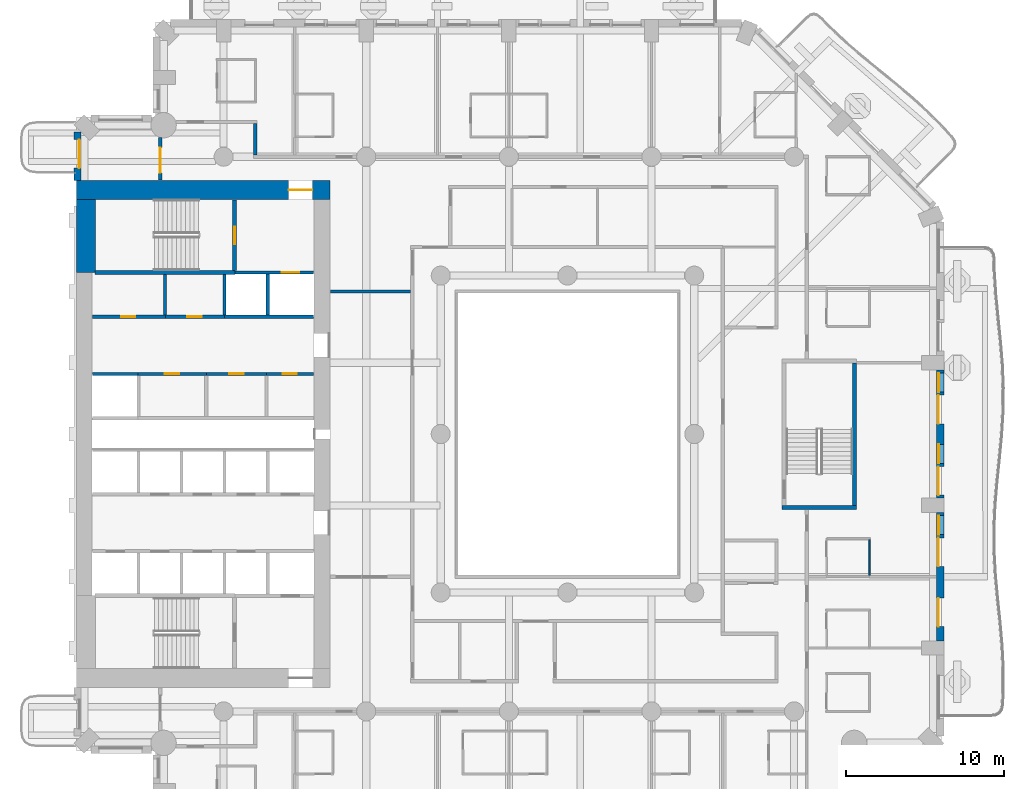
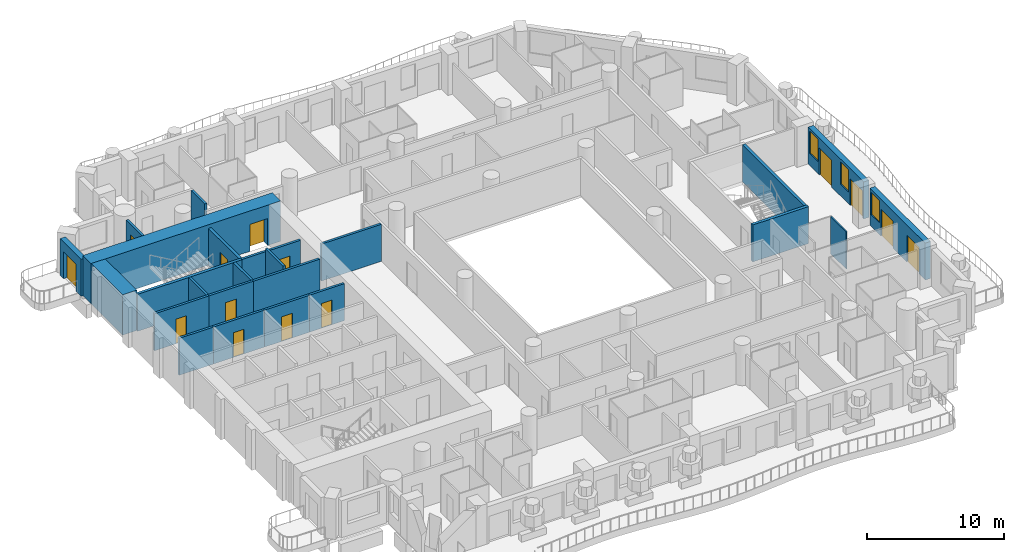
# One storey, part 7 of 20: 24 walls, 14 doors, 3 windows, 17 openings.
"""IFC4 building model written with IfcOpenShell, lengths in metres."""

import ifcopenshell
import ifcopenshell.guid

model = None  # the IFC model being written
_history = None  # IfcOwnerHistory: only IFC2X3 demands one
_inside = {}  # id of a spatial element -> (the spatial element, [elements in it])
_under = {}  # id of a project, library or spatial element -> (it, [spatial elements below it])
_declared = {}  # id of a project -> (the project, [libraries it declares])
_typed = {}  # id of a type object -> (the type object, [elements of that type])
_made_of = {}  # id of a material, layer set ... -> (it, [elements and type objects made of it])


def new_model(schema):
    """Start an empty IFC model of exactly this schema.

    Asked for "IFC4X3", IfcOpenShell would pick the latest addendum, in which some entities
    have other attributes; the version numbers below select the first issue.
    IFC2X3 requires an IfcOwnerHistory on every rooted entity: one is made here for all.
    """
    global model, _history
    if schema == "IFC4X3":
        model = ifcopenshell.file(schema_version=(4, 3, 0, 0))
    else:
        model = ifcopenshell.file(schema=schema)
    _inside.clear()
    _under.clear()
    _declared.clear()
    _typed.clear()
    _made_of.clear()
    _history = None
    if model.schema == "IFC2X3":
        org = make("IfcOrganization", Name="unknown")
        user = make(
            "IfcPersonAndOrganization",
            ThePerson=make("IfcPerson", FamilyName="unknown"),
            TheOrganization=org,
        )
        app = make(
            "IfcApplication",
            ApplicationDeveloper=org,
            Version="unknown",
            ApplicationFullName="unknown",
            ApplicationIdentifier="unknown",
        )
        _history = make(
            "IfcOwnerHistory",
            OwningUser=user,
            OwningApplication=app,
            ChangeAction="ADDED",
            CreationDate=0,
        )
    return model


def make(cls, **values):
    """One entity of the class cls with the attributes given. An attribute that is None is left unset."""
    return model.create_entity(
        cls, **{name: value for name, value in values.items() if value is not None}
    )


def rooted(cls, **values):
    """An entity with a GlobalId (a new one), such as an element, a storey or a relation."""
    return make(cls, GlobalId=ifcopenshell.guid.new(), OwnerHistory=_history, **values)


def si_unit(unit_type, name, prefix=None):
    """IfcSIUnit, for example si_unit("LENGTHUNIT", "METRE", prefix="MILLI")."""
    return make("IfcSIUnit", UnitType=unit_type, Prefix=prefix, Name=name)


def assignment(units):
    """IfcUnitAssignment: the units of a project."""
    return None if units is None else make("IfcUnitAssignment", Units=units)


def point(xyz):
    """IfcCartesianPoint."""
    return None if xyz is None else make("IfcCartesianPoint", Coordinates=xyz)


def direction(xyz):
    """IfcDirection."""
    return None if xyz is None else make("IfcDirection", DirectionRatios=xyz)


def frame(location, z_axis=None, x_axis=None):
    """IfcAxis2Placement3D, a coordinate frame: its origin and axes. An axis left out is left unset."""
    return make(
        "IfcAxis2Placement3D",
        Location=point(location),
        Axis=direction(z_axis),
        RefDirection=direction(x_axis),
    )


def frame_2d(location, x_axis=None):
    """IfcAxis2Placement2D, a coordinate frame in the plane: its origin and x axis."""
    return make(
        "IfcAxis2Placement2D", Location=point(location), RefDirection=direction(x_axis)
    )


def origin():
    """The frame at (0, 0, 0) with its axes left unset."""
    return frame((0.0, 0.0, 0.0))


def place(relative_to, where):
    """IfcLocalPlacement: puts the frame where relative to a parent placement (None: the world)."""
    return make(
        "IfcLocalPlacement", PlacementRelTo=relative_to, RelativePlacement=where
    )


def context(
    kind, dimensions, precision=None, world=None, true_north=None, identifier=None
):
    """IfcGeometricRepresentationContext, for example the 3D "Model" context."""
    return make(
        "IfcGeometricRepresentationContext",
        ContextIdentifier=identifier,
        ContextType=kind,
        CoordinateSpaceDimension=dimensions,
        Precision=precision,
        WorldCoordinateSystem=world,
        TrueNorth=true_north,
    )


def subcontext(parent, identifier, kind, view, scale=None):
    """IfcGeometricRepresentationSubContext, for example "Body" below "Model"."""
    return make(
        "IfcGeometricRepresentationSubContext",
        ContextIdentifier=identifier,
        ContextType=kind,
        ParentContext=parent,
        TargetScale=scale,
        TargetView=view,
    )


def project(units=None, contexts=None):
    """IfcProject with its units and contexts."""
    return rooted(
        "IfcProject",
        Name="project",
        RepresentationContexts=contexts,
        UnitsInContext=assignment(units),
    )


def spatial(cls, under=None, at=None, **own):
    """A site, building, storey or space (cls), placed at a placement, below another one or the project."""
    s = rooted(cls, ObjectPlacement=at, **own)
    if under is not None:
        _under.setdefault(under.id(), (under, []))[1].append(s)
    return s


def profile(cls, at=None, kind="AREA", **sizes):
    """A parametric profile (cls). Its sizes go by their IFC names, for example OverallWidth=200.0."""
    return make(cls, ProfileType=kind, Position=at, **sizes)


def rectangle(**sizes):
    """IfcRectangleProfileDef."""
    return profile("IfcRectangleProfileDef", **sizes)


def extrude(swept, where, along, depth):
    """IfcExtrudedAreaSolid: the profile swept, set in the frame where, extruded along a direction by depth."""
    return make(
        "IfcExtrudedAreaSolid",
        SweptArea=swept,
        Position=where,
        ExtrudedDirection=direction(along),
        Depth=depth,
    )


def shape(context_of_items, identifier, shape_type, items):
    """IfcShapeRepresentation: the items that make up one representation, for example the "Body"."""
    return make(
        "IfcShapeRepresentation",
        ContextOfItems=context_of_items,
        RepresentationIdentifier=identifier,
        RepresentationType=shape_type,
        Items=items,
    )


def material(Name=None, Category=None):
    """IfcMaterial."""
    return make("IfcMaterial", Name=Name, Category=Category)


def layer(
    of_material, thickness, ventilated=None, Name=None, Category=None, Priority=None
):
    """IfcMaterialLayer: one layer of a wall or slab, of a material (None: an air gap)."""
    return make(
        "IfcMaterialLayer",
        Material=of_material,
        LayerThickness=thickness,
        IsVentilated=ventilated,
        Name=Name,
        Category=Category,
        Priority=Priority,
    )


def layer_set(layers, Name=None):
    """IfcMaterialLayerSet."""
    return make("IfcMaterialLayerSet", MaterialLayers=layers, LayerSetName=Name)


def made_of(thing, what):
    """Note that an element or type object is made of a material, layer set ...; save() writes the relation."""
    if what is not None:
        _made_of.setdefault(what.id(), (what, []))[1].append(thing)
    return thing


def type_object(cls, material=None, **own):
    """A type object (cls), such as IfcWallType, which elements share."""
    return made_of(rooted(cls, **own), material)


def element(
    cls,
    number,
    at=None,
    inside=None,
    cuts=None,
    type_object=None,
    material=None,
    context=None,
    identifier="Body",
    shape_type=None,
    held_by="IfcProductDefinitionShape",
    body=None,
    shapes=None,
    **own,
):
    """One element of the class cls, such as IfcWall. Its Tag is "e" and its number.

    at: its placement. inside: the storey or other place that contains it. cuts: it is an
    opening in that element (IfcRelVoidsElement). A single representation is given by context,
    identifier, shape_type and body (its items); several are given by shapes. held_by: the class
    of the entity that holds the representations. save() writes the other relations.
    """
    e = rooted(cls, Tag="e%d" % number, ObjectPlacement=at, **own)
    if body is not None:
        shapes = [shape(context, identifier, shape_type, body)]
    if shapes is not None:
        e.Representation = make(held_by, Representations=shapes)
    if inside is not None:
        _inside.setdefault(inside.id(), (inside, []))[1].append(e)
    if cuts is not None:
        rooted(
            "IfcRelVoidsElement", RelatingBuildingElement=cuts, RelatedOpeningElement=e
        )
    if type_object is not None:
        _typed.setdefault(type_object.id(), (type_object, []))[1].append(e)
    return made_of(e, material)


def fill(opening, filler):
    """IfcRelFillsElement: the door or window that sits in an opening."""
    return rooted(
        "IfcRelFillsElement",
        RelatingOpeningElement=opening,
        RelatedBuildingElement=filler,
    )


def aggregate(whole, parts):
    """IfcRelAggregates: a whole, such as a stair, and the parts it consists of."""
    return rooted("IfcRelAggregates", RelatingObject=whole, RelatedObjects=parts)


def save(model, path):
    """Write the relations noted so far, then the file.

    IfcRelAggregates (storeys below a building ...), IfcRelContainedInSpatialStructure (elements
    in a storey), IfcRelDefinesByType, IfcRelAssociatesMaterial and IfcRelDeclares: one each for
    every whole, place, type object, material and project.
    """
    for whole, parts in _under.values():
        aggregate(whole, parts)
    for where, things in _inside.values():
        rooted(
            "IfcRelContainedInSpatialStructure",
            RelatedElements=things,
            RelatingStructure=where,
        )
    for kind, things in _typed.values():
        rooted("IfcRelDefinesByType", RelatedObjects=things, RelatingType=kind)
    for what, things in _made_of.values():
        rooted("IfcRelAssociatesMaterial", RelatedObjects=things, RelatingMaterial=what)
    for by, libraries in _declared.values():
        rooted("IfcRelDeclares", RelatingContext=by, RelatedDefinitions=libraries)
    model.write(path)


model = new_model("IFC4")

# Units and contexts
model_context = context("Model", 3, precision=1e-05, world=origin(), true_north=direction((0.0, 1.0)))
body_context = subcontext(model_context, "Body", "Model", "MODEL_VIEW")
ifc_project = project(units=[si_unit("LENGTHUNIT", "METRE"), si_unit("AREAUNIT", "SQUARE_METRE"), si_unit("VOLUMEUNIT", "CUBIC_METRE"), si_unit("PLANEANGLEUNIT", "RADIAN"), si_unit("MASSUNIT", "GRAM", prefix="KILO")], contexts=[model_context])

# Site, building, storey
site_placement = place(None, origin())
site = spatial("IfcSite", under=ifc_project, at=site_placement, CompositionType="ELEMENT")
building_placement = place(site_placement, origin())
building = spatial("IfcBuilding", under=site, at=building_placement, Name="Cypress Arch Tower", CompositionType="ELEMENT")
storey_placement = place(building_placement, frame((0.0, 0.0, 95.10009765625)))
storey = spatial("IfcBuildingStorey", under=building, at=storey_placement, Name="L18", CompositionType="ELEMENT", Elevation=95.10009765625)

# Wall, opening, door
ifc_material_1 = material(Name="Brick (red buff blend)", Category="masonry")
ifc_layer_1 = layer(ifc_material_1, 0.449951171875)
ifc_layer_set_1 = layer_set([ifc_layer_1], Name="Brick pier and spandrel wall BW450")
wall_type_1 = type_object("IfcWallType", Name="Brick pier and spandrel wall BW450", PredefinedType="SOLIDWALL", material=ifc_layer_set_1)
wall_1_placement = place(storey_placement, frame((-29.925048828125, 19.063720703125, 0.0), z_axis=(0.0, 0.0, 1.0), x_axis=(0.0, -1.0, 0.0)))
wall_1 = element("IfcWall", 1, at=wall_1_placement, inside=storey, type_object=wall_type_1, Name="Brick wall L18 A00.0", PredefinedType="SOLIDWALL", context=body_context, shape_type="SweptSolid", body=[
    extrude(rectangle(XDim=3.063720703125, YDim=0.449951171875, at=frame_2d((1.53173828125, 0.0))), origin(), (0.0, 0.0, 1.0), 3.2998046875),
])
opening_1_placement = place(wall_1_placement, frame((0.481689453125, 0.0, 0.0)))
opening_1 = element("IfcOpeningElement", 2, at=opening_1_placement, cuts=wall_1, Name="Opening D-L18-A00.0.1", PredefinedType="OPENING", context=body_context, shape_type="SweptSolid", body=[
    extrude(rectangle(XDim=1.800048828125, YDim=2.39990234375, at=frame_2d((0.89990234375, 1.199951171875))), frame((0.0, 0.23486328125, 0.0), z_axis=(0.0, -1.0, 0.0), x_axis=(1.0, 0.0, 0.0)), (0.0, 0.0, 1.0), 0.469970703125),
])
ifc_material_2 = material(Name="Anodised aluminium, bronze finish, laminated low-emissivity double glazing, large-missile impact rated", Category="aluminium")
door_type_1 = type_object("IfcDoorType", Name="Balcony sliding door 1800x2400", OperationType="SLIDING_TO_LEFT", PredefinedType="DOOR", material=ifc_material_2)
door_1_placement = place(opening_1_placement, origin())
door_1 = element("IfcDoor", 3, at=door_1_placement, inside=storey, type_object=door_type_1, Name="Balcony door L18 A00.0.1", OperationType="SLIDING_TO_LEFT", OverallHeight=2.39990234375, OverallWidth=1.800048828125, PredefinedType="DOOR", context=body_context, shape_type="SweptSolid", body=[
    extrude(rectangle(XDim=1.800048828125, YDim=2.39990234375, at=frame_2d((0.89990234375, 1.199951171875))), frame((0.0, 0.1298828125, 0.0), z_axis=(0.0, -1.0, 0.0), x_axis=(1.0, 0.0, 0.0)), (0.0, 0.0, 1.0), 0.050048828125),
])
fill(opening_1, door_1)

# Wall, openings, doors, window
wall_2_placement = place(storey_placement, frame((24.52490234375, -13.050048828125, 0.0), z_axis=(0.0, 0.0, 1.0), x_axis=(0.0, 1.0, 0.0)))
wall_2 = element("IfcWall", 4, at=wall_2_placement, inside=storey, type_object=wall_type_1, Name="Brick wall L18 A06.1", PredefinedType="SOLIDWALL", context=body_context, shape_type="SweptSolid", body=[
    extrude(rectangle(XDim=8.10009765625, YDim=0.449951171875, at=frame_2d((4.050048828125, 0.0))), origin(), (0.0, 0.0, 1.0), 3.2998046875),
])
opening_2_placement = place(wall_2_placement, frame((0.89990234375, 0.0, 0.0)))
opening_2 = element("IfcOpeningElement", 5, at=opening_2_placement, cuts=wall_2, Name="Opening D-L18-A06.1.1", PredefinedType="OPENING", context=body_context, shape_type="SweptSolid", body=[
    extrude(rectangle(XDim=1.800048828125, YDim=2.39990234375, at=frame_2d((0.89990234375, 1.199951171875))), frame((0.0, 0.23486328125, 0.0), z_axis=(0.0, -1.0, 0.0), x_axis=(1.0, 0.0, 0.0)), (0.0, 0.0, 1.0), 0.469970703125),
])
opening_3_placement = place(wall_2_placement, frame((4.699951171875, 0.0, 0.0)))
opening_3 = element("IfcOpeningElement", 6, at=opening_3_placement, cuts=wall_2, Name="Opening D-L18-A06.1.2", PredefinedType="OPENING", context=body_context, shape_type="SweptSolid", body=[
    extrude(rectangle(XDim=1.800048828125, YDim=2.39990234375, at=frame_2d((0.89990234375, 1.199951171875))), frame((0.0, 0.23486328125, 0.0), z_axis=(0.0, -1.0, 0.0), x_axis=(1.0, 0.0, 0.0)), (0.0, 0.0, 1.0), 0.469970703125),
])
opening_4_placement = place(wall_2_placement, frame((6.699951171875, 0.0, 1.050048828125)))
opening_4 = element("IfcOpeningElement", 7, at=opening_4_placement, cuts=wall_2, Name="Opening W120HD", PredefinedType="OPENING", context=body_context, shape_type="SweptSolid", body=[
    extrude(rectangle(XDim=1.199951171875, YDim=2.0, at=frame_2d((0.60009765625, 1.0))), frame((0.0, 0.23486328125, 0.0), z_axis=(0.0, -1.0, 0.0), x_axis=(1.0, 0.0, 0.0)), (0.0, 0.0, 1.0), 0.469970703125),
])
door_2_placement = place(opening_2_placement, origin())
door_2 = element("IfcDoor", 8, at=door_2_placement, inside=storey, type_object=door_type_1, Name="Balcony door L18 A06.1.1", OperationType="SLIDING_TO_LEFT", OverallHeight=2.39990234375, OverallWidth=1.800048828125, PredefinedType="DOOR", context=body_context, shape_type="SweptSolid", body=[
    extrude(rectangle(XDim=1.800048828125, YDim=2.39990234375, at=frame_2d((0.89990234375, 1.199951171875))), frame((0.0, 0.1298828125, 0.0), z_axis=(0.0, -1.0, 0.0), x_axis=(1.0, 0.0, 0.0)), (0.0, 0.0, 1.0), 0.050048828125),
])
fill(opening_2, door_2)
door_3_placement = place(opening_3_placement, origin())
door_3 = element("IfcDoor", 9, at=door_3_placement, inside=storey, type_object=door_type_1, Name="Balcony door L18 A06.1.2", OperationType="SLIDING_TO_LEFT", OverallHeight=2.39990234375, OverallWidth=1.800048828125, PredefinedType="DOOR", context=body_context, shape_type="SweptSolid", body=[
    extrude(rectangle(XDim=1.800048828125, YDim=2.39990234375, at=frame_2d((0.89990234375, 1.199951171875))), frame((0.0, 0.1298828125, 0.0), z_axis=(0.0, -1.0, 0.0), x_axis=(1.0, 0.0, 0.0)), (0.0, 0.0, 1.0), 0.050048828125),
])
fill(opening_3, door_3)
ifc_material_3 = material(Name="Anodised aluminium, bronze finish, laminated low-emissivity double glazing, large-missile impact rated", Category="aluminium")
window_type = type_object("IfcWindowType", Name="Window Hotel 1200x2000 debris-rated", PartitioningType="SINGLE_PANEL", PredefinedType="WINDOW", material=ifc_material_3)
window_1_placement = place(opening_4_placement, origin())
window_1 = element("IfcWindow", 10, at=window_1_placement, inside=storey, type_object=window_type, Name="Window L18 A06.1.2", OverallHeight=2.0, OverallWidth=1.199951171875, PartitioningType="SINGLE_PANEL", PredefinedType="WINDOW", context=body_context, shape_type="SweptSolid", body=[
    extrude(rectangle(XDim=1.199951171875, YDim=2.0, at=frame_2d((0.60009765625, 1.0))), frame((0.0, 0.135009765625, 0.0), z_axis=(0.0, -1.0, 0.0), x_axis=(1.0, 0.0, 0.0)), (0.0, 0.0, 1.0), 0.06005859375),
])
fill(opening_4, window_1)

# Wall, openings, doors, windows
wall_3_placement = place(storey_placement, frame((24.52490234375, -4.050048828125, 0.0), z_axis=(0.0, 0.0, 1.0), x_axis=(0.0, 1.0, 0.0)))
wall_3 = element("IfcWall", 11, at=wall_3_placement, inside=storey, type_object=wall_type_1, Name="Brick wall L18 A06.2", PredefinedType="SOLIDWALL", context=body_context, shape_type="SweptSolid", body=[
    extrude(rectangle(XDim=8.10009765625, YDim=0.449951171875, at=frame_2d((4.050048828125, 0.0))), origin(), (0.0, 0.0, 1.0), 3.2998046875),
])
opening_5_placement = place(wall_3_placement, frame((0.199951171875, 0.0, 0.0)))
opening_5 = element("IfcOpeningElement", 12, at=opening_5_placement, cuts=wall_3, Name="Opening D-L18-A06.2.1", PredefinedType="OPENING", context=body_context, shape_type="SweptSolid", body=[
    extrude(rectangle(XDim=1.800048828125, YDim=2.39990234375, at=frame_2d((0.89990234375, 1.199951171875))), frame((0.0, 0.23486328125, 0.0), z_axis=(0.0, -1.0, 0.0), x_axis=(1.0, 0.0, 0.0)), (0.0, 0.0, 1.0), 0.469970703125),
])
opening_6_placement = place(wall_3_placement, frame((2.199951171875, 0.0, 1.050048828125)))
opening_6 = element("IfcOpeningElement", 13, at=opening_6_placement, cuts=wall_3, Name="Opening W120HD", PredefinedType="OPENING", context=body_context, shape_type="SweptSolid", body=[
    extrude(rectangle(XDim=1.199951171875, YDim=2.0, at=frame_2d((0.60009765625, 1.0))), frame((0.0, 0.23486328125, 0.0), z_axis=(0.0, -1.0, 0.0), x_axis=(1.0, 0.0, 0.0)), (0.0, 0.0, 1.0), 0.469970703125),
])
opening_7_placement = place(wall_3_placement, frame((4.699951171875, 0.0, 0.0)))
opening_7 = element("IfcOpeningElement", 14, at=opening_7_placement, cuts=wall_3, Name="Opening D-L18-A06.2.2", PredefinedType="OPENING", context=body_context, shape_type="SweptSolid", body=[
    extrude(rectangle(XDim=1.800048828125, YDim=2.39990234375, at=frame_2d((0.89990234375, 1.199951171875))), frame((0.0, 0.23486328125, 0.0), z_axis=(0.0, -1.0, 0.0), x_axis=(1.0, 0.0, 0.0)), (0.0, 0.0, 1.0), 0.469970703125),
])
opening_8_placement = place(wall_3_placement, frame((6.699951171875, 0.0, 1.050048828125)))
opening_8 = element("IfcOpeningElement", 15, at=opening_8_placement, cuts=wall_3, Name="Opening W120HD", PredefinedType="OPENING", context=body_context, shape_type="SweptSolid", body=[
    extrude(rectangle(XDim=1.199951171875, YDim=2.0, at=frame_2d((0.60009765625, 1.0))), frame((0.0, 0.23486328125, 0.0), z_axis=(0.0, -1.0, 0.0), x_axis=(1.0, 0.0, 0.0)), (0.0, 0.0, 1.0), 0.469970703125),
])
door_4_placement = place(opening_5_placement, origin())
door_4 = element("IfcDoor", 16, at=door_4_placement, inside=storey, type_object=door_type_1, Name="Balcony door L18 A06.2.1", OperationType="SLIDING_TO_LEFT", OverallHeight=2.39990234375, OverallWidth=1.800048828125, PredefinedType="DOOR", context=body_context, shape_type="SweptSolid", body=[
    extrude(rectangle(XDim=1.800048828125, YDim=2.39990234375, at=frame_2d((0.89990234375, 1.199951171875))), frame((0.0, 0.1298828125, 0.0), z_axis=(0.0, -1.0, 0.0), x_axis=(1.0, 0.0, 0.0)), (0.0, 0.0, 1.0), 0.050048828125),
])
fill(opening_5, door_4)
door_5_placement = place(opening_7_placement, origin())
door_5 = element("IfcDoor", 17, at=door_5_placement, inside=storey, type_object=door_type_1, Name="Balcony door L18 A06.2.2", OperationType="SLIDING_TO_LEFT", OverallHeight=2.39990234375, OverallWidth=1.800048828125, PredefinedType="DOOR", context=body_context, shape_type="SweptSolid", body=[
    extrude(rectangle(XDim=1.800048828125, YDim=2.39990234375, at=frame_2d((0.89990234375, 1.199951171875))), frame((0.0, 0.1298828125, 0.0), z_axis=(0.0, -1.0, 0.0), x_axis=(1.0, 0.0, 0.0)), (0.0, 0.0, 1.0), 0.050048828125),
])
fill(opening_7, door_5)
window_2_placement = place(opening_6_placement, origin())
window_2 = element("IfcWindow", 18, at=window_2_placement, inside=storey, type_object=window_type, Name="Window L18 A06.2.1", OverallHeight=2.0, OverallWidth=1.199951171875, PartitioningType="SINGLE_PANEL", PredefinedType="WINDOW", context=body_context, shape_type="SweptSolid", body=[
    extrude(rectangle(XDim=1.199951171875, YDim=2.0, at=frame_2d((0.60009765625, 1.0))), frame((0.0, 0.135009765625, 0.0), z_axis=(0.0, -1.0, 0.0), x_axis=(1.0, 0.0, 0.0)), (0.0, 0.0, 1.0), 0.06005859375),
])
fill(opening_6, window_2)
window_3_placement = place(opening_8_placement, origin())
window_3 = element("IfcWindow", 19, at=window_3_placement, inside=storey, type_object=window_type, Name="Window L18 A06.2.2", OverallHeight=2.0, OverallWidth=1.199951171875, PartitioningType="SINGLE_PANEL", PredefinedType="WINDOW", context=body_context, shape_type="SweptSolid", body=[
    extrude(rectangle(XDim=1.199951171875, YDim=2.0, at=frame_2d((0.60009765625, 1.0))), frame((0.0, 0.135009765625, 0.0), z_axis=(0.0, -1.0, 0.0), x_axis=(1.0, 0.0, 0.0)), (0.0, 0.0, 1.0), 0.06005859375),
])
fill(opening_8, window_3)

# Wall, opening, door
ifc_material_4 = material(Name="Concrete C80/95", Category="concrete")
ifc_layer_2 = layer(ifc_material_4, 1.199951171875)
ifc_layer_set_2 = layer_set([ifc_layer_2], Name="Core wall CW1200 C80/95")
wall_type_2 = type_object("IfcWallType", Name="Core wall CW1200 C80/95", PredefinedType="SHEAR", material=ifc_layer_set_2)
wall_4_placement = place(storey_placement, frame((-30.0, 15.39990234375, 0.0), z_axis=(0.0, 0.0, 1.0), x_axis=(1.0, 0.0, 0.0)))
wall_4 = element("IfcWall", 20, at=wall_4_placement, inside=storey, type_object=wall_type_2, Name="Core wall", PredefinedType="SHEAR", context=body_context, shape_type="SweptSolid", body=[
    extrude(rectangle(XDim=16.0, YDim=1.199951171875, at=frame_2d((8.0, 0.0))), origin(), (0.0, 0.0, 1.0), 3.599853515625),
])
opening_9_placement = place(wall_4_placement, frame((13.39990234375, 0.0, 0.0)))
opening_9 = element("IfcOpeningElement", 21, at=opening_9_placement, cuts=wall_4, Name="Opening D07", PredefinedType="OPENING", context=body_context, shape_type="SweptSolid", body=[
    extrude(rectangle(XDim=1.5, YDim=2.39990234375, at=frame_2d((0.75, 1.199951171875))), frame((0.0, 0.60986328125, 0.0), z_axis=(0.0, -1.0, 0.0), x_axis=(1.0, 0.0, 0.0)), (0.0, 0.0, 1.0), 1.219970703125),
])
ifc_material_5 = material(Name="Steel framed glazed door, fire resisting", Category="steel")
door_type_2 = type_object("IfcDoorType", Name="Lobby door D07 1500x2400", OperationType="DOUBLE_DOOR_SINGLE_SWING", PredefinedType="DOOR", material=ifc_material_5)
door_6_placement = place(opening_9_placement, origin())
door_6 = element("IfcDoor", 22, at=door_6_placement, inside=storey, type_object=door_type_2, Name="Lobby door", OperationType="DOUBLE_DOOR_SINGLE_SWING", OverallHeight=2.39990234375, OverallWidth=1.5, PredefinedType="DOOR", context=body_context, shape_type="SweptSolid", body=[
    extrude(rectangle(XDim=1.5, YDim=2.39990234375, at=frame_2d((0.75, 1.199951171875))), frame((0.0, 0.02490234375, 0.0), z_axis=(0.0, -1.0, 0.0), x_axis=(1.0, 0.0, 0.0)), (0.0, 0.0, 1.0), 0.050048828125),
])
fill(opening_9, door_6)

# Wall
wall_5_placement = place(storey_placement, frame((-29.39990234375, 10.199951171875, 0.0), z_axis=(0.0, 0.0, 1.0), x_axis=(0.0, 1.0, 0.0)))
element("IfcWall", 23, at=wall_5_placement, inside=storey, type_object=wall_type_2, Name="Core wall", PredefinedType="SHEAR", context=body_context, shape_type="SweptSolid", body=[
    extrude(rectangle(XDim=4.60009765625, YDim=1.199951171875, at=frame_2d((2.300048828125, 0.0))), origin(), (0.0, 0.0, 1.0), 3.599853515625),
])

# Wall, opening, door
ifc_material_6 = material(Name="Concrete blockwork, plastered, rated", Category="masonry")
ifc_layer_3 = layer(ifc_material_6, 0.199951171875)
ifc_layer_set_3 = layer_set([ifc_layer_3], Name="Corridor wall FW200")
wall_type_3 = type_object("IfcWallType", Name="Corridor wall FW200", PredefinedType="PARTITIONING", material=ifc_layer_set_3)
wall_6_placement = place(storey_placement, frame((-26.10009765625, 3.800048828125, 0.0), z_axis=(0.0, 0.0, 1.0), x_axis=(1.0, 0.0, 0.0)))
wall_6 = element("IfcWall", 24, at=wall_6_placement, inside=storey, type_object=wall_type_3, Name="Corridor wall", PredefinedType="PARTITIONING", context=body_context, shape_type="SweptSolid", body=[
    extrude(rectangle(XDim=4.320068359375, YDim=0.199951171875, at=frame_2d((2.16015625, 0.0))), origin(), (0.0, 0.0, 1.0), 3.2998046875),
])
opening_10_placement = place(wall_6_placement, frame((1.699951171875, 0.0, 0.0)))
opening_10 = element("IfcOpeningElement", 25, at=opening_10_placement, cuts=wall_6, Name="Opening D05", PredefinedType="OPENING", context=body_context, shape_type="SweptSolid", body=[
    extrude(rectangle(XDim=0.89990234375, YDim=2.199951171875, at=frame_2d((0.449951171875, 1.10009765625))), frame((0.0, 0.10986328125, 0.0), z_axis=(0.0, -1.0, 0.0), x_axis=(1.0, 0.0, 0.0)), (0.0, 0.0, 1.0), 0.219970703125),
])
ifc_material_7 = material(Name="Timber flush door", Category="wood")
door_type_3 = type_object("IfcDoorType", Name="Service door D05 900x2200", OperationType="SINGLE_SWING_LEFT", PredefinedType="DOOR", material=ifc_material_7)
door_7_placement = place(opening_10_placement, origin())
door_7 = element("IfcDoor", 26, at=door_7_placement, inside=storey, type_object=door_type_3, Name="Service door", OperationType="SINGLE_SWING_RIGHT", OverallHeight=2.199951171875, OverallWidth=0.89990234375, PredefinedType="DOOR", context=body_context, shape_type="SweptSolid", body=[
    extrude(rectangle(XDim=0.89990234375, YDim=2.199951171875, at=frame_2d((0.449951171875, 1.10009765625))), frame((0.0, 0.02490234375, 0.0), z_axis=(0.0, -1.0, 0.0), x_axis=(1.0, 0.0, 0.0)), (0.0, 0.0, 1.0), 0.050048828125),
])
fill(opening_10, door_7)

wall_7_placement = place(storey_placement, frame((-24.699951171875, 16.030029296875, 0.0), z_axis=(0.0, 0.0, 1.0), x_axis=(0.0, 1.0, 0.0)))
wall_7 = element("IfcWall", 27, at=wall_7_placement, inside=storey, type_object=wall_type_3, Name="Corridor wall", PredefinedType="PARTITIONING", context=body_context, shape_type="SweptSolid", body=[
    extrude(rectangle(XDim=2.670166015625, YDim=0.199951171875, at=frame_2d((1.3349609375, 0.0))), origin(), (0.0, 0.0, 1.0), 3.2998046875),
])
opening_11_placement = place(wall_7_placement, frame((0.449951171875, 0.0, 0.0)))
opening_11 = element("IfcOpeningElement", 28, at=opening_11_placement, cuts=wall_7, Name="Opening D10", PredefinedType="OPENING", context=body_context, shape_type="SweptSolid", body=[
    extrude(rectangle(XDim=1.60009765625, YDim=2.39990234375, at=frame_2d((0.800048828125, 1.199951171875))), frame((0.0, 0.10986328125, 0.0), z_axis=(0.0, -1.0, 0.0), x_axis=(1.0, 0.0, 0.0)), (0.0, 0.0, 1.0), 0.219970703125),
])
ifc_material_8 = material(Name="Black aluminium glazed door", Category="aluminium")
door_type_4 = type_object("IfcDoorType", Name="Amenity door D10 1600x2400", OperationType="DOUBLE_DOOR_SINGLE_SWING", PredefinedType="DOOR", material=ifc_material_8)
door_8_placement = place(opening_11_placement, origin())
door_8 = element("IfcDoor", 29, at=door_8_placement, inside=storey, type_object=door_type_4, Name="Amenity door", OperationType="DOUBLE_DOOR_SINGLE_SWING", OverallHeight=2.39990234375, OverallWidth=1.60009765625, PredefinedType="DOOR", context=body_context, shape_type="SweptSolid", body=[
    extrude(rectangle(XDim=1.60009765625, YDim=2.39990234375, at=frame_2d((0.800048828125, 1.199951171875))), frame((0.0, 0.02490234375, 0.0), z_axis=(0.0, -1.0, 0.0), x_axis=(1.0, 0.0, 0.0)), (0.0, 0.0, 1.0), 0.050048828125),
])
fill(opening_11, door_8)

wall_8_placement = place(storey_placement, frame((-24.3798828125, 7.39990234375, 0.0), z_axis=(0.0, 0.0, 1.0), x_axis=(1.0, 0.0, 0.0)))
wall_8 = element("IfcWall", 30, at=wall_8_placement, inside=storey, type_object=wall_type_3, Name="Corridor wall", PredefinedType="PARTITIONING", context=body_context, shape_type="SweptSolid", body=[
    extrude(rectangle(XDim=3.739990234375, YDim=0.199951171875, at=frame_2d((1.8701171875, 0.0))), origin(), (0.0, 0.0, 1.0), 3.2998046875),
])
opening_12_placement = place(wall_8_placement, frame((1.39990234375, 0.0, 0.0)))
opening_12 = element("IfcOpeningElement", 31, at=opening_12_placement, cuts=wall_8, Name="Opening D05", PredefinedType="OPENING", context=body_context, shape_type="SweptSolid", body=[
    extrude(rectangle(XDim=0.89990234375, YDim=2.199951171875, at=frame_2d((0.449951171875, 1.10009765625))), frame((0.0, 0.10986328125, 0.0), z_axis=(0.0, -1.0, 0.0), x_axis=(1.0, 0.0, 0.0)), (0.0, 0.0, 1.0), 0.219970703125),
])
door_9_placement = place(opening_12_placement, origin())
door_9 = element("IfcDoor", 32, at=door_9_placement, inside=storey, type_object=door_type_3, Name="Service door", OperationType="SINGLE_SWING_LEFT", OverallHeight=2.199951171875, OverallWidth=0.89990234375, PredefinedType="DOOR", context=body_context, shape_type="SweptSolid", body=[
    extrude(rectangle(XDim=0.89990234375, YDim=2.199951171875, at=frame_2d((0.449951171875, 1.10009765625))), frame((0.0, 0.02490234375, 0.0), z_axis=(0.0, -1.0, 0.0), x_axis=(1.0, 0.0, 0.0)), (0.0, 0.0, 1.0), 0.050048828125),
])
fill(opening_12, door_9)

# Wall
wall_9_placement = place(storey_placement, frame((-18.699951171875, 17.60009765625, 0.0), z_axis=(0.0, 0.0, 1.0), x_axis=(0.0, 1.0, 0.0)))
element("IfcWall", 33, at=wall_9_placement, inside=storey, type_object=wall_type_3, Name="Corridor wall", PredefinedType="PARTITIONING", context=body_context, shape_type="SweptSolid", body=[
    extrude(rectangle(XDim=2.0, YDim=0.199951171875, at=frame_2d((1.0, 0.0))), origin(), (0.0, 0.0, 1.0), 3.2998046875),
])

# Wall, opening, door
wall_10_placement = place(storey_placement, frame((-17.97998046875, 3.800048828125, 0.0), z_axis=(0.0, 0.0, 1.0), x_axis=(1.0, 0.0, 0.0)))
wall_10 = element("IfcWall", 34, at=wall_10_placement, inside=storey, type_object=wall_type_3, Name="Corridor wall", PredefinedType="PARTITIONING", context=body_context, shape_type="SweptSolid", body=[
    extrude(rectangle(XDim=2.949951171875, YDim=0.199951171875, at=frame_2d((1.47509765625, 0.0))), origin(), (0.0, 0.0, 1.0), 3.2998046875),
])
opening_13_placement = place(wall_10_placement, frame((1.0, 0.0, 0.0)))
opening_13 = element("IfcOpeningElement", 35, at=opening_13_placement, cuts=wall_10, Name="Opening D05", PredefinedType="OPENING", context=body_context, shape_type="SweptSolid", body=[
    extrude(rectangle(XDim=0.89990234375, YDim=2.199951171875, at=frame_2d((0.449951171875, 1.10009765625))), frame((0.0, 0.10986328125, 0.0), z_axis=(0.0, -1.0, 0.0), x_axis=(1.0, 0.0, 0.0)), (0.0, 0.0, 1.0), 0.219970703125),
])
door_10_placement = place(opening_13_placement, origin())
door_10 = element("IfcDoor", 36, at=door_10_placement, inside=storey, type_object=door_type_3, Name="Service door", OperationType="SINGLE_SWING_RIGHT", OverallHeight=2.199951171875, OverallWidth=0.89990234375, PredefinedType="DOOR", context=body_context, shape_type="SweptSolid", body=[
    extrude(rectangle(XDim=0.89990234375, YDim=2.199951171875, at=frame_2d((0.449951171875, 1.10009765625))), frame((0.0, 0.02490234375, 0.0), z_axis=(0.0, -1.0, 0.0), x_axis=(1.0, 0.0, 0.0)), (0.0, 0.0, 1.0), 0.050048828125),
])
fill(opening_13, door_10)

# Wall
wall_11_placement = place(storey_placement, frame((-13.969970703125, 9.0, 0.0), z_axis=(0.0, 0.0, 1.0), x_axis=(1.0, 0.0, 0.0)))
element("IfcWall", 37, at=wall_11_placement, inside=storey, type_object=wall_type_3, Name="Corridor wall", PredefinedType="PARTITIONING", context=body_context, shape_type="SweptSolid", body=[
    extrude(rectangle(XDim=5.070068359375, YDim=0.199951171875, at=frame_2d((2.53515625, 0.0))), origin(), (0.0, 0.0, 1.0), 3.2998046875),
])

# Wall, opening, door
ifc_material_9 = material(Name="Reinforced blockwork, plastered, rated", Category="masonry")
ifc_layer_4 = layer(ifc_material_9, 0.199951171875)
ifc_layer_set_4 = layer_set([ifc_layer_4], Name="Plant and riser wall PL200")
wall_type_4 = type_object("IfcWallType", Name="Plant and riser wall PL200", PredefinedType="PARTITIONING", material=ifc_layer_set_4)
wall_12_placement = place(storey_placement, frame((-28.969970703125, 7.39990234375, 0.0), z_axis=(0.0, 0.0, 1.0), x_axis=(1.0, 0.0, 0.0)))
wall_12 = element("IfcWall", 38, at=wall_12_placement, inside=storey, type_object=wall_type_4, Name="Plant and riser wall", PredefinedType="PARTITIONING", context=body_context, shape_type="SweptSolid", body=[
    extrude(rectangle(XDim=4.590087890625, YDim=0.199951171875, at=frame_2d((2.294921875, 0.0))), origin(), (0.0, 0.0, 1.0), 3.2998046875),
])
opening_14_placement = place(wall_12_placement, frame((1.800048828125, 0.0, 0.0)))
opening_14 = element("IfcOpeningElement", 39, at=opening_14_placement, cuts=wall_12, Name="Opening D05", PredefinedType="OPENING", context=body_context, shape_type="SweptSolid", body=[
    extrude(rectangle(XDim=0.89990234375, YDim=2.199951171875, at=frame_2d((0.449951171875, 1.10009765625))), frame((0.0, 0.10986328125, 0.0), z_axis=(0.0, -1.0, 0.0), x_axis=(1.0, 0.0, 0.0)), (0.0, 0.0, 1.0), 0.219970703125),
])
door_11_placement = place(opening_14_placement, origin())
door_11 = element("IfcDoor", 40, at=door_11_placement, inside=storey, type_object=door_type_3, Name="Service door", OperationType="SINGLE_SWING_RIGHT", OverallHeight=2.199951171875, OverallWidth=0.89990234375, PredefinedType="DOOR", context=body_context, shape_type="SweptSolid", body=[
    extrude(rectangle(XDim=0.89990234375, YDim=2.199951171875, at=frame_2d((0.449951171875, 1.10009765625))), frame((0.0, 0.02490234375, 0.0), z_axis=(0.0, -1.0, 0.0), x_axis=(1.0, 0.0, 0.0)), (0.0, 0.0, 1.0), 0.050048828125),
])
fill(opening_14, door_11)

# Wall
wall_13_placement = place(storey_placement, frame((-24.39990234375, 7.5, 0.0), z_axis=(0.0, 0.0, 1.0), x_axis=(0.0, 1.0, 0.0)))
element("IfcWall", 41, at=wall_13_placement, inside=storey, type_object=wall_type_4, Name="Plant and riser wall", PredefinedType="PARTITIONING", context=body_context, shape_type="SweptSolid", body=[
    extrude(rectangle(XDim=2.574951171875, YDim=0.199951171875, at=frame_2d((1.28759765625, 0.0))), origin(), (0.0, 0.0, 1.0), 3.2998046875),
])

# Wall, opening, door
wall_14_placement = place(storey_placement, frame((-21.780029296875, 3.800048828125, 0.0), z_axis=(0.0, 0.0, 1.0), x_axis=(1.0, 0.0, 0.0)))
wall_14 = element("IfcWall", 42, at=wall_14_placement, inside=storey, type_object=wall_type_4, Name="Plant and riser wall", PredefinedType="PARTITIONING", context=body_context, shape_type="SweptSolid", body=[
    extrude(rectangle(XDim=3.800048828125, YDim=0.199951171875, at=frame_2d((1.89990234375, 0.0))), origin(), (0.0, 0.0, 1.0), 3.2998046875),
])
opening_15_placement = place(wall_14_placement, frame((1.449951171875, 0.0, 0.0)))
opening_15 = element("IfcOpeningElement", 43, at=opening_15_placement, cuts=wall_14, Name="Opening D05", PredefinedType="OPENING", context=body_context, shape_type="SweptSolid", body=[
    extrude(rectangle(XDim=0.89990234375, YDim=2.199951171875, at=frame_2d((0.449951171875, 1.10009765625))), frame((0.0, 0.10986328125, 0.0), z_axis=(0.0, -1.0, 0.0), x_axis=(1.0, 0.0, 0.0)), (0.0, 0.0, 1.0), 0.219970703125),
])
door_12_placement = place(opening_15_placement, origin())
door_12 = element("IfcDoor", 44, at=door_12_placement, inside=storey, type_object=door_type_3, Name="Service door", OperationType="SINGLE_SWING_LEFT", OverallHeight=2.199951171875, OverallWidth=0.89990234375, PredefinedType="DOOR", context=body_context, shape_type="SweptSolid", body=[
    extrude(rectangle(XDim=0.89990234375, YDim=2.199951171875, at=frame_2d((0.449951171875, 1.10009765625))), frame((0.0, 0.02490234375, 0.0), z_axis=(0.0, -1.0, 0.0), x_axis=(1.0, 0.0, 0.0)), (0.0, 0.0, 1.0), 0.050048828125),
])
fill(opening_15, door_12)

# Walls
ifc_material_10 = material(Name="Concrete C50/60", Category="concrete")
ifc_layer_5 = layer(ifc_material_10, 0.199951171875)
ifc_layer_set_5 = layer_set([ifc_layer_5], Name="Shaft wall SH200")
wall_type_5 = type_object("IfcWallType", Name="Shaft wall SH200", PredefinedType="SHEAR", material=ifc_layer_set_5)
wall_15_placement = place(storey_placement, frame((-28.969970703125, 3.800048828125, 0.0), z_axis=(0.0, 0.0, 1.0), x_axis=(1.0, 0.0, 0.0)))
element("IfcWall", 45, at=wall_15_placement, inside=storey, type_object=wall_type_5, Name="Shaft wall", PredefinedType="SHEAR", context=body_context, shape_type="SweptSolid", body=[
    extrude(rectangle(XDim=2.869873046875, YDim=0.199951171875, at=frame_2d((1.43505859375, 0.0))), origin(), (0.0, 0.0, 1.0), 3.2998046875),
])
wall_16_placement = place(storey_placement, frame((-20.639892578125, 7.5, 0.0), z_axis=(0.0, 0.0, 1.0), x_axis=(0.0, 1.0, 0.0)))
element("IfcWall", 46, at=wall_16_placement, inside=storey, type_object=wall_type_5, Name="Shaft wall", PredefinedType="SHEAR", context=body_context, shape_type="SweptSolid", body=[
    extrude(rectangle(XDim=2.574951171875, YDim=0.199951171875, at=frame_2d((1.28759765625, 0.0))), origin(), (0.0, 0.0, 1.0), 3.2998046875),
])
wall_17_placement = place(storey_placement, frame((-20.639892578125, 7.39990234375, 0.0), z_axis=(0.0, 0.0, 1.0), x_axis=(1.0, 0.0, 0.0)))
element("IfcWall", 47, at=wall_17_placement, inside=storey, type_object=wall_type_5, Name="Shaft wall", PredefinedType="SHEAR", context=body_context, shape_type="SweptSolid", body=[
    extrude(rectangle(XDim=5.60986328125, YDim=0.199951171875, at=frame_2d((2.804931640625, 0.0))), origin(), (0.0, 0.0, 1.0), 3.2998046875),
])

# Wall, opening, door
wall_18_placement = place(storey_placement, frame((-19.97998046875, 10.199951171875, 0.0), z_axis=(0.0, 0.0, 1.0), x_axis=(1.0, 0.0, 0.0)))
wall_18 = element("IfcWall", 48, at=wall_18_placement, inside=storey, type_object=wall_type_5, Name="Shaft wall", PredefinedType="SHEAR", context=body_context, shape_type="SweptSolid", body=[
    extrude(rectangle(XDim=4.949951171875, YDim=0.199951171875, at=frame_2d((2.47509765625, 0.0))), origin(), (0.0, 0.0, 1.0), 3.2998046875),
])
opening_16_placement = place(wall_18_placement, frame((2.949951171875, 0.0, 0.0)))
opening_16 = element("IfcOpeningElement", 49, at=opening_16_placement, cuts=wall_18, Name="Opening LD-FL2", PredefinedType="OPENING", context=body_context, shape_type="SweptSolid", body=[
    extrude(rectangle(XDim=1.10009765625, YDim=2.199951171875, at=frame_2d((0.550048828125, 1.10009765625))), frame((0.0, 0.10986328125, 0.0), z_axis=(0.0, -1.0, 0.0), x_axis=(1.0, 0.0, 0.0)), (0.0, 0.0, 1.0), 0.219970703125),
])
ifc_material_11 = material(Name="Stainless steel centre-opening landing door, rated", Category="steel")
door_type_5 = type_object("IfcDoorType", Name="Lift landing door LD 1100x2200", OperationType="DOUBLE_DOOR_SLIDING", PredefinedType="DOOR", material=ifc_material_11)
door_13_placement = place(opening_16_placement, origin())
door_13 = element("IfcDoor", 50, at=door_13_placement, inside=storey, type_object=door_type_5, Name="Lift landing doors FL2", OperationType="DOUBLE_DOOR_SLIDING", OverallHeight=2.199951171875, OverallWidth=1.10009765625, PredefinedType="DOOR", context=body_context, shape_type="SweptSolid", body=[
    extrude(rectangle(XDim=1.10009765625, YDim=2.199951171875, at=frame_2d((0.550048828125, 1.10009765625))), frame((0.0, 0.02490234375, 0.0), z_axis=(0.0, -1.0, 0.0), x_axis=(1.0, 0.0, 0.0)), (0.0, 0.0, 1.0), 0.050048828125),
])
fill(opening_16, door_13)

# Walls
wall_19_placement = place(storey_placement, frame((-17.919921875, 7.5, 0.0), z_axis=(0.0, 0.0, 1.0), x_axis=(0.0, 1.0, 0.0)))
element("IfcWall", 51, at=wall_19_placement, inside=storey, type_object=wall_type_5, Name="Shaft wall", PredefinedType="SHEAR", context=body_context, shape_type="SweptSolid", body=[
    extrude(rectangle(XDim=2.60009765625, YDim=0.199951171875, at=frame_2d((1.300048828125, 0.0))), origin(), (0.0, 0.0, 1.0), 3.599853515625),
])
ifc_material_12 = material(Name="Concrete C50/60", Category="concrete")
ifc_layer_6 = layer(ifc_material_12, 0.25)
ifc_layer_set_6 = layer_set([ifc_layer_6], Name="Stair enclosure wall SW250")
wall_type_6 = type_object("IfcWallType", Name="Stair enclosure wall SW250", PredefinedType="SHEAR", material=ifc_layer_set_6)
wall_20_placement = place(storey_placement, frame((-28.81005859375, 10.199951171875, 0.0), z_axis=(0.0, 0.0, 1.0), x_axis=(1.0, 0.0, 0.0)))
element("IfcWall", 52, at=wall_20_placement, inside=storey, type_object=wall_type_6, Name="Stair enclosure wall", PredefinedType="SHEAR", context=body_context, shape_type="SweptSolid", body=[
    extrude(rectangle(XDim=8.830078125, YDim=0.25, at=frame_2d((4.4150390625, 0.0))), origin(), (0.0, 0.0, 1.0), 3.2998046875),
])

# Wall, opening, door
wall_21_placement = place(storey_placement, frame((-20.0, 10.324951171875, 0.0), z_axis=(0.0, 0.0, 1.0), x_axis=(0.0, 1.0, 0.0)))
wall_21 = element("IfcWall", 53, at=wall_21_placement, inside=storey, type_object=wall_type_6, Name="Stair enclosure wall", PredefinedType="SHEAR", context=body_context, shape_type="SweptSolid", body=[
    extrude(rectangle(XDim=4.445068359375, YDim=0.25, at=frame_2d((2.22265625, 0.0))), origin(), (0.0, 0.0, 1.0), 3.2998046875),
])
opening_17_placement = place(wall_21_placement, frame((1.64990234375, 0.0, 0.0)))
opening_17 = element("IfcOpeningElement", 54, at=opening_17_placement, cuts=wall_21, Name="Opening D06", PredefinedType="OPENING", context=body_context, shape_type="SweptSolid", body=[
    extrude(rectangle(XDim=1.10009765625, YDim=2.199951171875, at=frame_2d((0.550048828125, 1.10009765625))), frame((0.0, 0.135009765625, 0.0), z_axis=(0.0, -1.0, 0.0), x_axis=(1.0, 0.0, 0.0)), (0.0, 0.0, 1.0), 0.27001953125),
])
ifc_material_13 = material(Name="Steel door, fire resisting, panic bar", Category="steel")
door_type_6 = type_object("IfcDoorType", Name="Stair door D06 1100x2200", OperationType="SINGLE_SWING_LEFT", PredefinedType="DOOR", material=ifc_material_13)
door_14_placement = place(opening_17_placement, origin())
door_14 = element("IfcDoor", 55, at=door_14_placement, inside=storey, type_object=door_type_6, Name="Stair door", OperationType="SINGLE_SWING_LEFT", OverallHeight=2.199951171875, OverallWidth=1.10009765625, PredefinedType="DOOR", context=body_context, shape_type="SweptSolid", body=[
    extrude(rectangle(XDim=1.10009765625, YDim=2.199951171875, at=frame_2d((0.550048828125, 1.10009765625))), frame((0.0, 0.02490234375, 0.0), z_axis=(0.0, -1.0, 0.0), x_axis=(1.0, 0.0, 0.0)), (0.0, 0.0, 1.0), 0.050048828125),
])
fill(opening_17, door_14)

# Walls
wall_22_placement = place(storey_placement, frame((14.550048828125, -4.625, 0.0), z_axis=(0.0, 0.0, 1.0), x_axis=(1.0, 0.0, 0.0)))
element("IfcWall", 56, at=wall_22_placement, inside=storey, type_object=wall_type_6, Name="Stair enclosure wall", PredefinedType="SHEAR", context=body_context, shape_type="SweptSolid", body=[
    extrude(rectangle(XDim=4.699951171875, YDim=0.25, at=frame_2d((2.35009765625, 0.0))), origin(), (0.0, 0.0, 1.0), 3.2998046875),
])
wall_23_placement = place(storey_placement, frame((19.125, -4.5, 0.0), z_axis=(0.0, 0.0, 1.0), x_axis=(0.0, 1.0, 0.0)))
element("IfcWall", 57, at=wall_23_placement, inside=storey, type_object=wall_type_6, Name="Stair enclosure wall", PredefinedType="SHEAR", context=body_context, shape_type="SweptSolid", body=[
    extrude(rectangle(XDim=9.0, YDim=0.25, at=frame_2d((4.5, 0.0))), origin(), (0.0, 0.0, 1.0), 3.2998046875),
])
ifc_material_14 = material(Name="Moisture resistant board on steel studs, tiled", Category="steel")
ifc_layer_7 = layer(ifc_material_14, 0.10009765625)
ifc_layer_set_7 = layer_set([ifc_layer_7], Name="Wet wall PW100")
wall_type_7 = type_object("IfcWallType", Name="Wet wall PW100", PredefinedType="PARTITIONING", material=ifc_layer_set_7)
wall_24_placement = place(storey_placement, frame((20.050048828125, -8.925048828125, 0.0), z_axis=(0.0, 0.0, 1.0), x_axis=(0.000430200003, 0.999999907464, 0.0)))
element("IfcWall", 58, at=wall_24_placement, inside=storey, type_object=wall_type_7, Name="Wet wall", PredefinedType="PARTITIONING", context=body_context, shape_type="SweptSolid", body=[
    extrude(rectangle(XDim=2.27001953125, YDim=0.10009765625, at=frame_2d((1.135009765625, 0.0))), origin(), (0.0, 0.0, 1.0), 3.2998046875),
])

save(model, "model.ifc")
